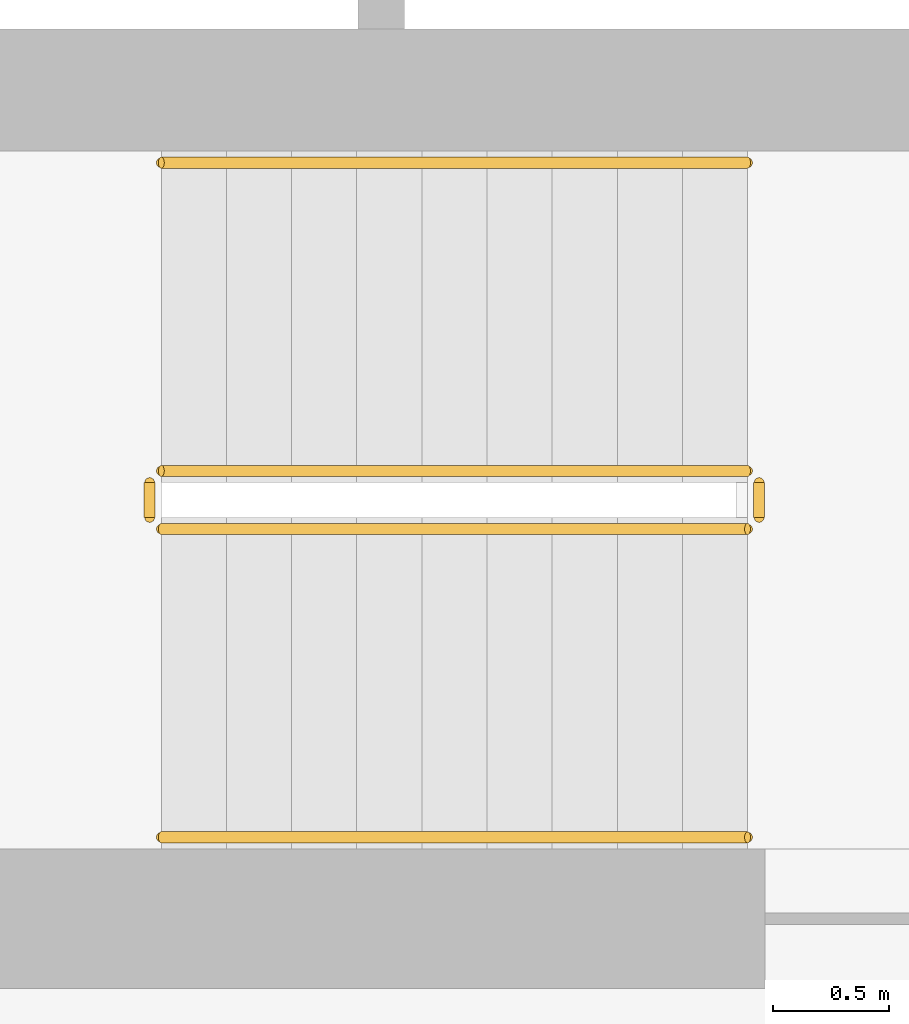
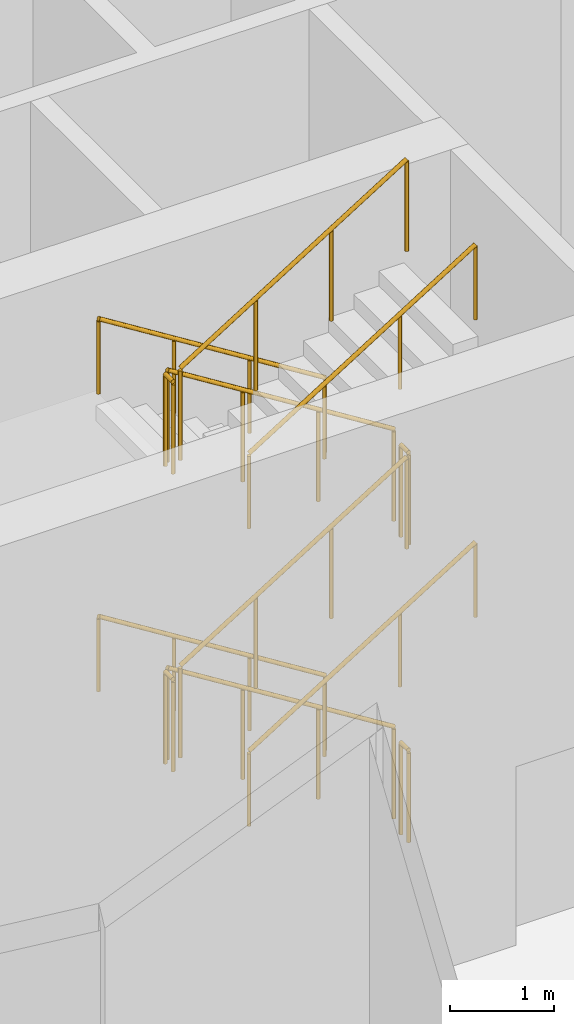
# One storey, part 64 of 67: 12 railings.
"""IFC4 building model written with IfcOpenShell, lengths in metres."""

from ifc_helpers import new_model, si_unit, direction, frame, origin, origin_2d, place, context, subcontext, project, spatial, circle, extrude, material, type_object, element, save


model = new_model("IFC4")

# Units and contexts
model_context = context("Model", 3, precision=1e-05, world=origin(), true_north=direction((0.0, 1.0)))
body_context = subcontext(model_context, "Body", "Model", "MODEL_VIEW")
ifc_project = project(units=[si_unit("LENGTHUNIT", "METRE"), si_unit("AREAUNIT", "SQUARE_METRE"), si_unit("VOLUMEUNIT", "CUBIC_METRE"), si_unit("PLANEANGLEUNIT", "RADIAN"), si_unit("MASSUNIT", "GRAM", prefix="KILO")], contexts=[model_context])

# Site, building, storey
site_placement = place(None, origin())
site = spatial("IfcSite", under=ifc_project, at=site_placement, CompositionType="ELEMENT")
building_placement = place(site_placement, origin())
building = spatial("IfcBuilding", under=site, at=building_placement, Name="Nagisa Residences", CompositionType="ELEMENT")
storey_placement = place(building_placement, origin())
storey = spatial("IfcBuildingStorey", under=building, at=storey_placement, Name="L00", CompositionType="ELEMENT", Elevation=0.0)

# Railings
ifc_material_1 = material(Name="Stainless steel", Category="steel")
railing_type_1 = type_object("IfcRailingType", Name="Stair guard 1100", PredefinedType="GUARDRAIL", material=ifc_material_1)
railing_1_placement = place(storey_placement, frame((2.47509765625, -8.399658203125, 0.175048828125)))
element("IfcRailing", 1, at=railing_1_placement, inside=storey, type_object=railing_type_1, Name="L00 ST-S stair guard 1", PredefinedType="GUARDRAIL", context=body_context, shape_type="SweptSolid", body=[
    extrude(circle(Radius=0.02392578125, at=origin_2d()), frame((0.0, 0.0, 1.076171875), z_axis=(-0.848007534815, 0.0, 0.529984170421), x_axis=(0.0, -1.0, 0.0)), (0.0, 0.0, 1.0), 2.9716796875),
    extrude(circle(Radius=0.02099609375, at=origin_2d()), origin(), (0.0, 0.0, 1.0), 1.052001953125),
    extrude(circle(Radius=0.02099609375, at=origin_2d()), frame((-0.840087890625, 0.0, 0.52490234375)), (0.0, 0.0, 1.0), 1.052001953125),
    extrude(circle(Radius=0.02099609375, at=origin_2d()), frame((-1.679931640625, 0.0, 1.050048828125)), (0.0, 0.0, 1.0), 1.052001953125),
    extrude(circle(Radius=0.02099609375, at=origin_2d()), frame((-2.52001953125, 0.0, 1.574951171875)), (0.0, 0.0, 1.0), 1.052001953125),
])
railing_2_placement = place(storey_placement, frame((-0.094970703125, -8.44970703125, 1.75)))
element("IfcRailing", 2, at=railing_2_placement, inside=storey, type_object=railing_type_1, Name="L00 ST-S stair guard 2", PredefinedType="GUARDRAIL", context=body_context, shape_type="SweptSolid", body=[
    extrude(circle(Radius=0.02392578125, at=origin_2d()), frame((0.0, 0.0, 1.076171875), z_axis=(0.0, -1.0, 0.0), x_axis=(1.0, 0.0, 0.0)), (0.0, 0.0, 1.0), 0.14990234375),
    extrude(circle(Radius=0.02099609375, at=origin_2d()), origin(), (0.0, 0.0, 1.0), 1.052001953125),
    extrude(circle(Radius=0.02099609375, at=origin_2d()), frame((0.0, -0.14990234375, 0.0)), (0.0, 0.0, 1.0), 1.052001953125),
])
railing_3_placement = place(storey_placement, frame((-0.044921875, -8.649658203125, 1.925048828125)))
element("IfcRailing", 3, at=railing_3_placement, inside=storey, type_object=railing_type_1, Name="L00 ST-S stair guard 3", PredefinedType="GUARDRAIL", context=body_context, shape_type="SweptSolid", body=[
    extrude(circle(Radius=0.02392578125, at=origin_2d()), frame((0.0, 0.0, 1.076171875), z_axis=(0.848007534815, 0.0, 0.529984170421), x_axis=(0.0, 1.0, 0.0)), (0.0, 0.0, 1.0), 2.9716796875),
    extrude(circle(Radius=0.02099609375, at=origin_2d()), origin(), (0.0, 0.0, 1.0), 1.052001953125),
    extrude(circle(Radius=0.02099609375, at=origin_2d()), frame((0.840087890625, 0.0, 0.52490234375)), (0.0, 0.0, 1.0), 1.052001953125),
    extrude(circle(Radius=0.02099609375, at=origin_2d()), frame((1.679931640625, 0.0, 1.050048828125)), (0.0, 0.0, 1.0), 1.052001953125),
    extrude(circle(Radius=0.02099609375, at=origin_2d()), frame((2.52001953125, 0.0, 1.574951171875)), (0.0, 0.0, 1.0), 1.052001953125),
])
railing_4_placement = place(storey_placement, frame((2.52490234375, -8.44970703125, 3.5)))
element("IfcRailing", 4, at=railing_4_placement, inside=storey, type_object=railing_type_1, Name="L00 ST-S stair guard 4", PredefinedType="GUARDRAIL", context=body_context, shape_type="SweptSolid", body=[
    extrude(circle(Radius=0.02392578125, at=origin_2d()), frame((0.0, 0.0, 1.076171875), z_axis=(0.0, -1.0, 0.0), x_axis=(1.0, 0.0, 0.0)), (0.0, 0.0, 1.0), 0.14990234375),
    extrude(circle(Radius=0.02099609375, at=origin_2d()), origin(), (0.0, 0.0, 1.0), 1.052001953125),
    extrude(circle(Radius=0.02099609375, at=origin_2d()), frame((0.0, -0.14990234375, 0.0)), (0.0, 0.0, 1.0), 1.052001953125),
])
railing_5_placement = place(storey_placement, frame((2.47509765625, -8.399658203125, 3.675048828125)))
element("IfcRailing", 5, at=railing_5_placement, inside=storey, type_object=railing_type_1, Name="L00 ST-S stair guard 5", PredefinedType="GUARDRAIL", context=body_context, shape_type="SweptSolid", body=[
    extrude(circle(Radius=0.02392578125, at=origin_2d()), frame((0.0, 0.0, 1.076171875), z_axis=(-0.848007534815, 0.0, 0.529984170421), x_axis=(0.0, -1.0, 0.0)), (0.0, 0.0, 1.0), 2.9716796875),
    extrude(circle(Radius=0.02099609375, at=origin_2d()), origin(), (0.0, 0.0, 1.0), 1.052001953125),
    extrude(circle(Radius=0.02099609375, at=origin_2d()), frame((-0.840087890625, 0.0, 0.52490234375)), (0.0, 0.0, 1.0), 1.052001953125),
    extrude(circle(Radius=0.02099609375, at=origin_2d()), frame((-1.679931640625, 0.0, 1.050048828125)), (0.0, 0.0, 1.0), 1.052001953125),
    extrude(circle(Radius=0.02099609375, at=origin_2d()), frame((-2.52001953125, 0.0, 1.574951171875)), (0.0, 0.0, 1.0), 1.052001953125),
])
railing_6_placement = place(storey_placement, frame((-0.094970703125, -8.44970703125, 5.25)))
element("IfcRailing", 6, at=railing_6_placement, inside=storey, type_object=railing_type_1, Name="L00 ST-S stair guard 6", PredefinedType="GUARDRAIL", context=body_context, shape_type="SweptSolid", body=[
    extrude(circle(Radius=0.02392578125, at=origin_2d()), frame((0.0, 0.0, 1.076171875), z_axis=(0.0, -1.0, 0.0), x_axis=(1.0, 0.0, 0.0)), (0.0, 0.0, 1.0), 0.14990234375),
    extrude(circle(Radius=0.02099609375, at=origin_2d()), origin(), (0.0, 0.0, 1.0), 1.052001953125),
    extrude(circle(Radius=0.02099609375, at=origin_2d()), frame((0.0, -0.14990234375, 0.0)), (0.0, 0.0, 1.0), 1.052001953125),
])
railing_7_placement = place(storey_placement, frame((-0.044921875, -8.649658203125, 5.425048828125)))
element("IfcRailing", 7, at=railing_7_placement, inside=storey, type_object=railing_type_1, Name="L00 ST-S stair guard 7", PredefinedType="GUARDRAIL", context=body_context, shape_type="SweptSolid", body=[
    extrude(circle(Radius=0.02392578125, at=origin_2d()), frame((0.0, 0.0, 1.076171875), z_axis=(0.848007534815, 0.0, 0.529984170421), x_axis=(0.0, 1.0, 0.0)), (0.0, 0.0, 1.0), 2.9716796875),
    extrude(circle(Radius=0.02099609375, at=origin_2d()), origin(), (0.0, 0.0, 1.0), 1.052001953125),
    extrude(circle(Radius=0.02099609375, at=origin_2d()), frame((0.840087890625, 0.0, 0.52490234375)), (0.0, 0.0, 1.0), 1.052001953125),
    extrude(circle(Radius=0.02099609375, at=origin_2d()), frame((1.679931640625, 0.0, 1.050048828125)), (0.0, 0.0, 1.0), 1.052001953125),
    extrude(circle(Radius=0.02099609375, at=origin_2d()), frame((2.52001953125, 0.0, 1.574951171875)), (0.0, 0.0, 1.0), 1.052001953125),
])
railing_8_placement = place(storey_placement, frame((2.52490234375, -8.44970703125, 0.0)))
element("IfcRailing", 8, at=railing_8_placement, inside=storey, type_object=railing_type_1, Name="L00 ST-S stair guard 8", PredefinedType="GUARDRAIL", context=body_context, shape_type="SweptSolid", body=[
    extrude(circle(Radius=0.02392578125, at=origin_2d()), frame((0.0, 0.0, 1.076171875), z_axis=(0.0, -1.0, 0.0), x_axis=(1.0, 0.0, 0.0)), (0.0, 0.0, 1.0), 0.14990234375),
    extrude(circle(Radius=0.02099609375, at=origin_2d()), origin(), (0.0, 0.0, 1.0), 1.052001953125),
    extrude(circle(Radius=0.02099609375, at=origin_2d()), frame((0.0, -0.14990234375, 0.0)), (0.0, 0.0, 1.0), 1.052001953125),
])
ifc_material_2 = material(Name="Stainless steel", Category="steel")
railing_type_2 = type_object("IfcRailingType", Name="Stair handrail 900", PredefinedType="HANDRAIL", material=ifc_material_2)
railing_9_placement = place(storey_placement, frame((2.47509765625, -7.07470703125, 0.175048828125)))
element("IfcRailing", 9, at=railing_9_placement, inside=storey, type_object=railing_type_2, Name="L00 ST-S stair handrail 1", PredefinedType="HANDRAIL", context=body_context, shape_type="SweptSolid", body=[
    extrude(circle(Radius=0.02392578125, at=origin_2d()), frame((0.0, 0.0, 0.8759765625), z_axis=(-0.848007534815, 0.0, 0.529984170421), x_axis=(0.0, -1.0, 0.0)), (0.0, 0.0, 1.0), 2.9716796875),
    extrude(circle(Radius=0.02099609375, at=origin_2d()), origin(), (0.0, 0.0, 1.0), 0.851806640625),
    extrude(circle(Radius=0.02099609375, at=origin_2d()), frame((-0.840087890625, 0.0, 0.52490234375)), (0.0, 0.0, 1.0), 0.851806640625),
    extrude(circle(Radius=0.02099609375, at=origin_2d()), frame((-1.679931640625, 0.0, 1.050048828125)), (0.0, 0.0, 1.0), 0.851806640625),
    extrude(circle(Radius=0.02099609375, at=origin_2d()), frame((-2.52001953125, 0.0, 1.574951171875)), (0.0, 0.0, 1.0), 0.851806640625),
])
railing_10_placement = place(storey_placement, frame((-0.044921875, -9.974609375, 1.925048828125)))
element("IfcRailing", 10, at=railing_10_placement, inside=storey, type_object=railing_type_2, Name="L00 ST-S stair handrail 2", PredefinedType="HANDRAIL", context=body_context, shape_type="SweptSolid", body=[
    extrude(circle(Radius=0.02392578125, at=origin_2d()), frame((0.0, 0.0, 0.8759765625), z_axis=(0.848007534815, 0.0, 0.529984170421), x_axis=(0.0, 1.0, 0.0)), (0.0, 0.0, 1.0), 2.9716796875),
    extrude(circle(Radius=0.02099609375, at=origin_2d()), origin(), (0.0, 0.0, 1.0), 0.851806640625),
    extrude(circle(Radius=0.02099609375, at=origin_2d()), frame((0.840087890625, 0.0, 0.52490234375)), (0.0, 0.0, 1.0), 0.851806640625),
    extrude(circle(Radius=0.02099609375, at=origin_2d()), frame((1.679931640625, 0.0, 1.050048828125)), (0.0, 0.0, 1.0), 0.851806640625),
    extrude(circle(Radius=0.02099609375, at=origin_2d()), frame((2.52001953125, 0.0, 1.574951171875)), (0.0, 0.0, 1.0), 0.851806640625),
])
railing_11_placement = place(storey_placement, frame((2.47509765625, -7.07470703125, 3.675048828125)))
element("IfcRailing", 11, at=railing_11_placement, inside=storey, type_object=railing_type_2, Name="L00 ST-S stair handrail 3", PredefinedType="HANDRAIL", context=body_context, shape_type="SweptSolid", body=[
    extrude(circle(Radius=0.02392578125, at=origin_2d()), frame((0.0, 0.0, 0.8759765625), z_axis=(-0.848007534815, 0.0, 0.529984170421), x_axis=(0.0, -1.0, 0.0)), (0.0, 0.0, 1.0), 2.9716796875),
    extrude(circle(Radius=0.02099609375, at=origin_2d()), origin(), (0.0, 0.0, 1.0), 0.851806640625),
    extrude(circle(Radius=0.02099609375, at=origin_2d()), frame((-0.840087890625, 0.0, 0.52490234375)), (0.0, 0.0, 1.0), 0.851806640625),
    extrude(circle(Radius=0.02099609375, at=origin_2d()), frame((-1.679931640625, 0.0, 1.050048828125)), (0.0, 0.0, 1.0), 0.851806640625),
    extrude(circle(Radius=0.02099609375, at=origin_2d()), frame((-2.52001953125, 0.0, 1.574951171875)), (0.0, 0.0, 1.0), 0.851806640625),
])
railing_12_placement = place(storey_placement, frame((-0.044921875, -9.974609375, 5.425048828125)))
element("IfcRailing", 12, at=railing_12_placement, inside=storey, type_object=railing_type_2, Name="L00 ST-S stair handrail 4", PredefinedType="HANDRAIL", context=body_context, shape_type="SweptSolid", body=[
    extrude(circle(Radius=0.02392578125, at=origin_2d()), frame((0.0, 0.0, 0.8759765625), z_axis=(0.848007534815, 0.0, 0.529984170421), x_axis=(0.0, 1.0, 0.0)), (0.0, 0.0, 1.0), 2.9716796875),
    extrude(circle(Radius=0.02099609375, at=origin_2d()), origin(), (0.0, 0.0, 1.0), 0.851806640625),
    extrude(circle(Radius=0.02099609375, at=origin_2d()), frame((0.840087890625, 0.0, 0.52490234375)), (0.0, 0.0, 1.0), 0.851806640625),
    extrude(circle(Radius=0.02099609375, at=origin_2d()), frame((1.679931640625, 0.0, 1.050048828125)), (0.0, 0.0, 1.0), 0.851806640625),
    extrude(circle(Radius=0.02099609375, at=origin_2d()), frame((2.52001953125, 0.0, 1.574951171875)), (0.0, 0.0, 1.0), 0.851806640625),
])

save(model, "model.ifc")
